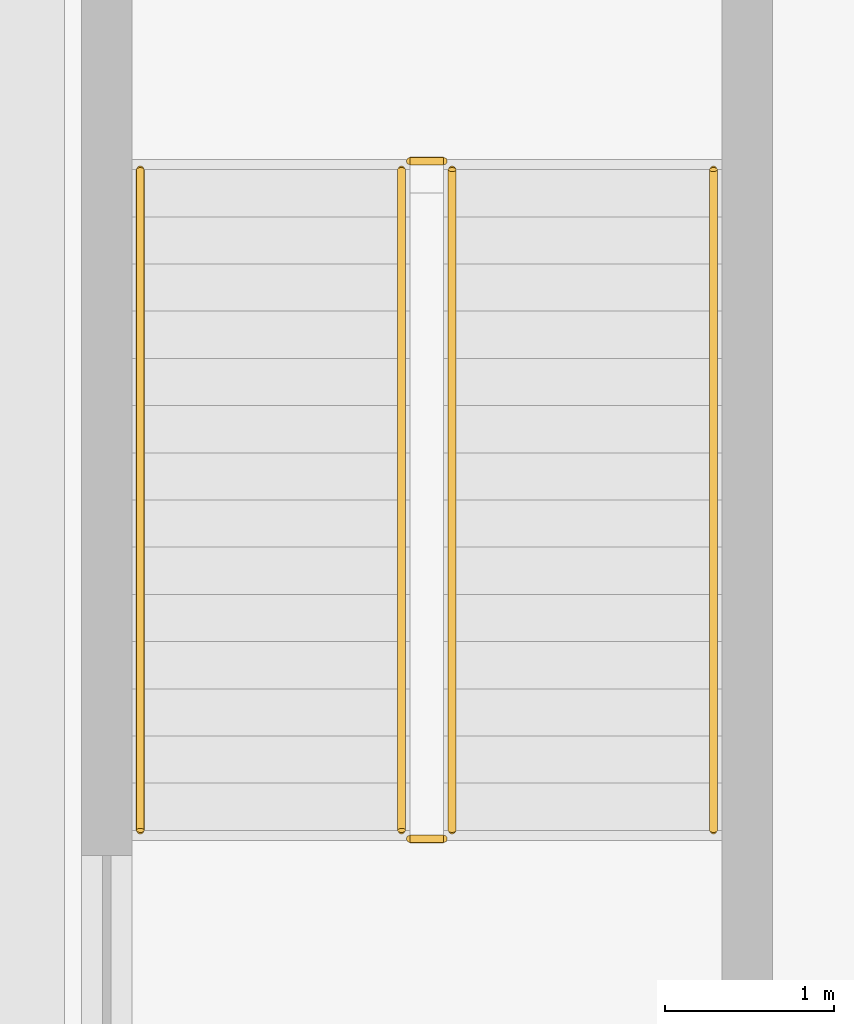
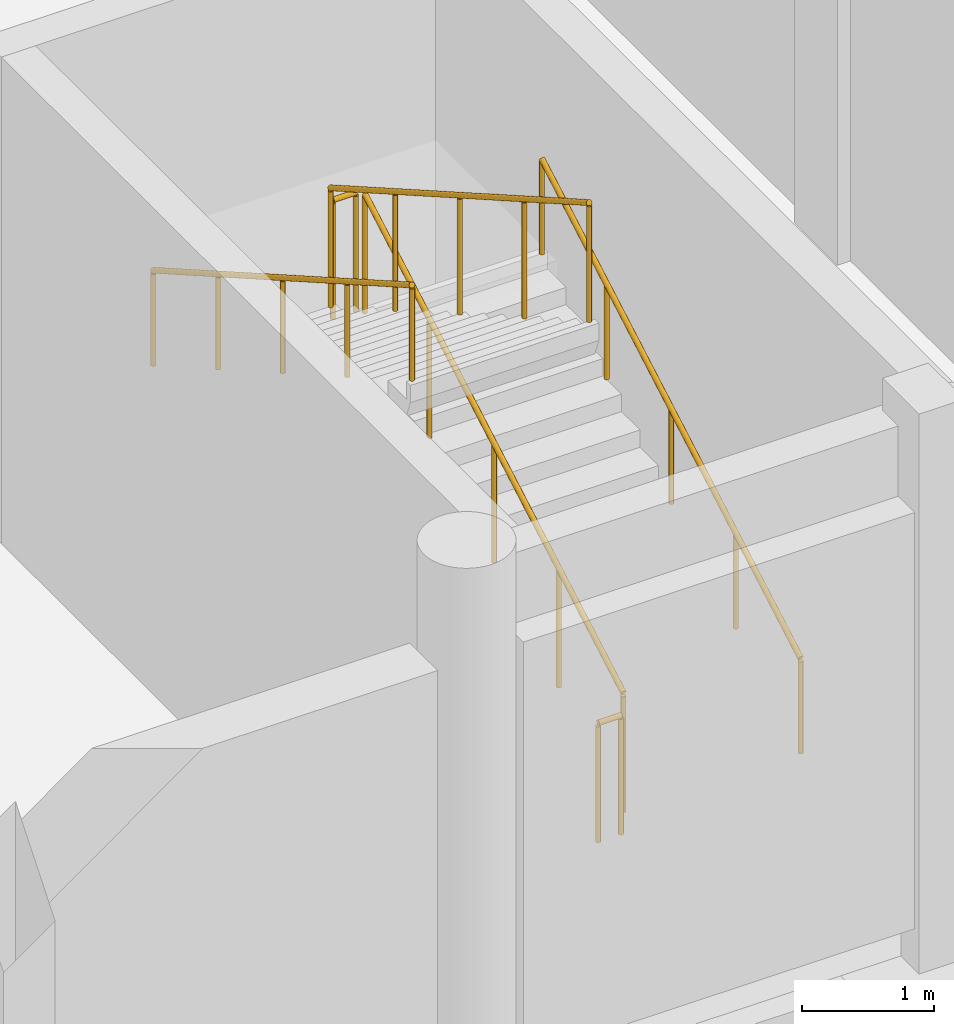
# One storey, part 48 of 52: 6 railings.
"""IFC4 building model written with IfcOpenShell, lengths in metres."""

import ifcopenshell
import ifcopenshell.guid

model = None  # the IFC model being written
_history = None  # IfcOwnerHistory: only IFC2X3 demands one
_inside = {}  # id of a spatial element -> (the spatial element, [elements in it])
_under = {}  # id of a project, library or spatial element -> (it, [spatial elements below it])
_declared = {}  # id of a project -> (the project, [libraries it declares])
_typed = {}  # id of a type object -> (the type object, [elements of that type])
_made_of = {}  # id of a material, layer set ... -> (it, [elements and type objects made of it])


def new_model(schema):
    """Start an empty IFC model of exactly this schema.

    Asked for "IFC4X3", IfcOpenShell would pick the latest addendum, in which some entities
    have other attributes; the version numbers below select the first issue.
    IFC2X3 requires an IfcOwnerHistory on every rooted entity: one is made here for all.
    """
    global model, _history
    if schema == "IFC4X3":
        model = ifcopenshell.file(schema_version=(4, 3, 0, 0))
    else:
        model = ifcopenshell.file(schema=schema)
    _inside.clear()
    _under.clear()
    _declared.clear()
    _typed.clear()
    _made_of.clear()
    _history = None
    if model.schema == "IFC2X3":
        org = make("IfcOrganization", Name="unknown")
        user = make(
            "IfcPersonAndOrganization",
            ThePerson=make("IfcPerson", FamilyName="unknown"),
            TheOrganization=org,
        )
        app = make(
            "IfcApplication",
            ApplicationDeveloper=org,
            Version="unknown",
            ApplicationFullName="unknown",
            ApplicationIdentifier="unknown",
        )
        _history = make(
            "IfcOwnerHistory",
            OwningUser=user,
            OwningApplication=app,
            ChangeAction="ADDED",
            CreationDate=0,
        )
    return model


def make(cls, **values):
    """One entity of the class cls with the attributes given. An attribute that is None is left unset."""
    return model.create_entity(
        cls, **{name: value for name, value in values.items() if value is not None}
    )


def rooted(cls, **values):
    """An entity with a GlobalId (a new one), such as an element, a storey or a relation."""
    return make(cls, GlobalId=ifcopenshell.guid.new(), OwnerHistory=_history, **values)


def si_unit(unit_type, name, prefix=None):
    """IfcSIUnit, for example si_unit("LENGTHUNIT", "METRE", prefix="MILLI")."""
    return make("IfcSIUnit", UnitType=unit_type, Prefix=prefix, Name=name)


def assignment(units):
    """IfcUnitAssignment: the units of a project."""
    return None if units is None else make("IfcUnitAssignment", Units=units)


def point(xyz):
    """IfcCartesianPoint."""
    return None if xyz is None else make("IfcCartesianPoint", Coordinates=xyz)


def direction(xyz):
    """IfcDirection."""
    return None if xyz is None else make("IfcDirection", DirectionRatios=xyz)


def frame(location, z_axis=None, x_axis=None):
    """IfcAxis2Placement3D, a coordinate frame: its origin and axes. An axis left out is left unset."""
    return make(
        "IfcAxis2Placement3D",
        Location=point(location),
        Axis=direction(z_axis),
        RefDirection=direction(x_axis),
    )


def frame_2d(location, x_axis=None):
    """IfcAxis2Placement2D, a coordinate frame in the plane: its origin and x axis."""
    return make(
        "IfcAxis2Placement2D", Location=point(location), RefDirection=direction(x_axis)
    )


def origin():
    """The frame at (0, 0, 0) with its axes left unset."""
    return frame((0.0, 0.0, 0.0))


def origin_2d():
    """The frame at (0, 0) in the plane with its x axis left unset."""
    return frame_2d((0.0, 0.0))


def place(relative_to, where):
    """IfcLocalPlacement: puts the frame where relative to a parent placement (None: the world)."""
    return make(
        "IfcLocalPlacement", PlacementRelTo=relative_to, RelativePlacement=where
    )


def context(
    kind, dimensions, precision=None, world=None, true_north=None, identifier=None
):
    """IfcGeometricRepresentationContext, for example the 3D "Model" context."""
    return make(
        "IfcGeometricRepresentationContext",
        ContextIdentifier=identifier,
        ContextType=kind,
        CoordinateSpaceDimension=dimensions,
        Precision=precision,
        WorldCoordinateSystem=world,
        TrueNorth=true_north,
    )


def subcontext(parent, identifier, kind, view, scale=None):
    """IfcGeometricRepresentationSubContext, for example "Body" below "Model"."""
    return make(
        "IfcGeometricRepresentationSubContext",
        ContextIdentifier=identifier,
        ContextType=kind,
        ParentContext=parent,
        TargetScale=scale,
        TargetView=view,
    )


def project(units=None, contexts=None):
    """IfcProject with its units and contexts."""
    return rooted(
        "IfcProject",
        Name="project",
        RepresentationContexts=contexts,
        UnitsInContext=assignment(units),
    )


def spatial(cls, under=None, at=None, **own):
    """A site, building, storey or space (cls), placed at a placement, below another one or the project."""
    s = rooted(cls, ObjectPlacement=at, **own)
    if under is not None:
        _under.setdefault(under.id(), (under, []))[1].append(s)
    return s


def profile(cls, at=None, kind="AREA", **sizes):
    """A parametric profile (cls). Its sizes go by their IFC names, for example OverallWidth=200.0."""
    return make(cls, ProfileType=kind, Position=at, **sizes)


def circle(**sizes):
    """IfcCircleProfileDef."""
    return profile("IfcCircleProfileDef", **sizes)


def extrude(swept, where, along, depth):
    """IfcExtrudedAreaSolid: the profile swept, set in the frame where, extruded along a direction by depth."""
    return make(
        "IfcExtrudedAreaSolid",
        SweptArea=swept,
        Position=where,
        ExtrudedDirection=direction(along),
        Depth=depth,
    )


def shape(context_of_items, identifier, shape_type, items):
    """IfcShapeRepresentation: the items that make up one representation, for example the "Body"."""
    return make(
        "IfcShapeRepresentation",
        ContextOfItems=context_of_items,
        RepresentationIdentifier=identifier,
        RepresentationType=shape_type,
        Items=items,
    )


def material(Name=None, Category=None):
    """IfcMaterial."""
    return make("IfcMaterial", Name=Name, Category=Category)


def made_of(thing, what):
    """Note that an element or type object is made of a material, layer set ...; save() writes the relation."""
    if what is not None:
        _made_of.setdefault(what.id(), (what, []))[1].append(thing)
    return thing


def type_object(cls, material=None, **own):
    """A type object (cls), such as IfcWallType, which elements share."""
    return made_of(rooted(cls, **own), material)


def element(
    cls,
    number,
    at=None,
    inside=None,
    cuts=None,
    type_object=None,
    material=None,
    context=None,
    identifier="Body",
    shape_type=None,
    held_by="IfcProductDefinitionShape",
    body=None,
    shapes=None,
    **own,
):
    """One element of the class cls, such as IfcWall. Its Tag is "e" and its number.

    at: its placement. inside: the storey or other place that contains it. cuts: it is an
    opening in that element (IfcRelVoidsElement). A single representation is given by context,
    identifier, shape_type and body (its items); several are given by shapes. held_by: the class
    of the entity that holds the representations. save() writes the other relations.
    """
    e = rooted(cls, Tag="e%d" % number, ObjectPlacement=at, **own)
    if body is not None:
        shapes = [shape(context, identifier, shape_type, body)]
    if shapes is not None:
        e.Representation = make(held_by, Representations=shapes)
    if inside is not None:
        _inside.setdefault(inside.id(), (inside, []))[1].append(e)
    if cuts is not None:
        rooted(
            "IfcRelVoidsElement", RelatingBuildingElement=cuts, RelatedOpeningElement=e
        )
    if type_object is not None:
        _typed.setdefault(type_object.id(), (type_object, []))[1].append(e)
    return made_of(e, material)


def aggregate(whole, parts):
    """IfcRelAggregates: a whole, such as a stair, and the parts it consists of."""
    return rooted("IfcRelAggregates", RelatingObject=whole, RelatedObjects=parts)


def save(model, path):
    """Write the relations noted so far, then the file.

    IfcRelAggregates (storeys below a building ...), IfcRelContainedInSpatialStructure (elements
    in a storey), IfcRelDefinesByType, IfcRelAssociatesMaterial and IfcRelDeclares: one each for
    every whole, place, type object, material and project.
    """
    for whole, parts in _under.values():
        aggregate(whole, parts)
    for where, things in _inside.values():
        rooted(
            "IfcRelContainedInSpatialStructure",
            RelatedElements=things,
            RelatingStructure=where,
        )
    for kind, things in _typed.values():
        rooted("IfcRelDefinesByType", RelatedObjects=things, RelatingType=kind)
    for what, things in _made_of.values():
        rooted("IfcRelAssociatesMaterial", RelatedObjects=things, RelatingMaterial=what)
    for by, libraries in _declared.values():
        rooted("IfcRelDeclares", RelatingContext=by, RelatedDefinitions=libraries)
    model.write(path)


model = new_model("IFC4")

# Units and contexts
model_context = context("Model", 3, precision=1e-05, world=origin(), true_north=direction((0.0, 1.0)))
body_context = subcontext(model_context, "Body", "Model", "MODEL_VIEW")
ifc_project = project(units=[si_unit("LENGTHUNIT", "METRE"), si_unit("AREAUNIT", "SQUARE_METRE"), si_unit("VOLUMEUNIT", "CUBIC_METRE"), si_unit("PLANEANGLEUNIT", "RADIAN"), si_unit("MASSUNIT", "GRAM", prefix="KILO")], contexts=[model_context])

# Site, building, storey
site_placement = place(None, origin())
site = spatial("IfcSite", under=ifc_project, at=site_placement, CompositionType="ELEMENT")
building_placement = place(site_placement, origin())
building = spatial("IfcBuilding", under=site, at=building_placement, Name="Luwemba Playhouse", CompositionType="ELEMENT")
storey_placement = place(building_placement, frame((0.0, 0.0, -4.800048828125)))
storey = spatial("IfcBuildingStorey", under=building, at=storey_placement, Name="B1", CompositionType="ELEMENT", Elevation=-4.800048828125)

# Railings
ifc_material_1 = material(Name="Painted wrought-iron gallery balustrade", Category="steel")
railing_type_1 = type_object("IfcRailingType", Name="RLG-BAL-INT", PredefinedType="BALUSTRADE", material=ifc_material_1)
railing_1_placement = place(storey_placement, frame((166.550048828125, 5.0400390625, 0.16015625)))
element("IfcRailing", 1, at=railing_1_placement, inside=storey, type_object=railing_type_1, Name="B1 ST-05 stair guard 1", PredefinedType="BALUSTRADE", context=body_context, shape_type="SweptSolid", body=[
    extrude(circle(Radius=0.02392578125, at=origin_2d()), frame((0.0, 0.0, 1.09619140625), z_axis=(0.0, 0.868239814368, 0.496144761885), x_axis=(-1.0, 0.0, 0.0)), (0.0, 0.0, 1.0), 4.514892578125),
    extrude(circle(Radius=0.02099609375, at=origin_2d()), origin(), (0.0, 0.0, 1.0), 1.072021484375),
    extrude(circle(Radius=0.02099609375, at=origin_2d()), frame((0.0, 0.97998046875, 0.56005859375)), (0.0, 0.0, 1.0), 1.072021484375),
    extrude(circle(Radius=0.02099609375, at=origin_2d()), frame((0.0, 1.9599609375, 1.1201171875)), (0.0, 0.0, 1.0), 1.072021484375),
    extrude(circle(Radius=0.02099609375, at=origin_2d()), frame((0.0, 2.93994140625, 1.679931640625)), (0.0, 0.0, 1.0), 1.072021484375),
    extrude(circle(Radius=0.02099609375, at=origin_2d()), frame((0.0, 3.919921875, 2.239990234375)), (0.0, 0.0, 1.0), 1.072021484375),
])
railing_2_placement = place(storey_placement, frame((166.5, 9.010009765625, 2.400146484375)))
element("IfcRailing", 2, at=railing_2_placement, inside=storey, type_object=railing_type_1, Name="B1 ST-05 stair guard 2", PredefinedType="BALUSTRADE", context=body_context, shape_type="SweptSolid", body=[
    extrude(circle(Radius=0.02392578125, at=origin_2d()), frame((0.0, 0.0, 1.09619140625), z_axis=(-1.0, 0.0, 0.0), x_axis=(0.0, -1.0, 0.0)), (0.0, 0.0, 1.0), 0.199951171875),
    extrude(circle(Radius=0.02099609375, at=origin_2d()), origin(), (0.0, 0.0, 1.0), 1.072021484375),
    extrude(circle(Radius=0.02099609375, at=origin_2d()), frame((-0.199951171875, 0.0, 0.0)), (0.0, 0.0, 1.0), 1.072021484375),
])
railing_3_placement = place(storey_placement, frame((166.25, 8.9599609375, 2.56005859375)))
element("IfcRailing", 3, at=railing_3_placement, inside=storey, type_object=railing_type_1, Name="B1 ST-05 stair guard 3", PredefinedType="BALUSTRADE", context=body_context, shape_type="SweptSolid", body=[
    extrude(circle(Radius=0.02392578125, at=origin_2d()), frame((0.0, 0.0, 1.09619140625), z_axis=(0.0, -0.868239814368, 0.496144761885), x_axis=(1.0, 0.0, 0.0)), (0.0, 0.0, 1.0), 4.514892578125),
    extrude(circle(Radius=0.02099609375, at=origin_2d()), origin(), (0.0, 0.0, 1.0), 1.072021484375),
    extrude(circle(Radius=0.02099609375, at=origin_2d()), frame((0.0, -0.97998046875, 0.56005859375)), (0.0, 0.0, 1.0), 1.072021484375),
    extrude(circle(Radius=0.02099609375, at=origin_2d()), frame((0.0, -1.9599609375, 1.1201171875)), (0.0, 0.0, 1.0), 1.072021484375),
    extrude(circle(Radius=0.02099609375, at=origin_2d()), frame((0.0, -2.93994140625, 1.679931640625)), (0.0, 0.0, 1.0), 1.072021484375),
    extrude(circle(Radius=0.02099609375, at=origin_2d()), frame((0.0, -3.919921875, 2.239990234375)), (0.0, 0.0, 1.0), 1.072021484375),
])
railing_4_placement = place(storey_placement, frame((166.5, 4.989990234375, 0.0)))
element("IfcRailing", 4, at=railing_4_placement, inside=storey, type_object=railing_type_1, Name="B1 ST-05 stair guard 4", PredefinedType="BALUSTRADE", context=body_context, shape_type="SweptSolid", body=[
    extrude(circle(Radius=0.02392578125, at=origin_2d()), frame((0.0, 0.0, 1.09619140625), z_axis=(-1.0, 0.0, 0.0), x_axis=(0.0, -1.0, 0.0)), (0.0, 0.0, 1.0), 0.199951171875),
    extrude(circle(Radius=0.02099609375, at=origin_2d()), origin(), (0.0, 0.0, 1.0), 1.072021484375),
    extrude(circle(Radius=0.02099609375, at=origin_2d()), frame((-0.199951171875, 0.0, 0.0)), (0.0, 0.0, 1.0), 1.072021484375),
])
ifc_material_2 = material(Name="Hardwood and bronze handrail", Category="wood")
railing_type_2 = type_object("IfcRailingType", Name="RLG-HR-INT", PredefinedType="HANDRAIL", material=ifc_material_2)
railing_5_placement = place(storey_placement, frame((168.10009765625, 5.0400390625, 0.16015625)))
element("IfcRailing", 5, at=railing_5_placement, inside=storey, type_object=railing_type_2, Name="B1 ST-05 stair handrail 1", PredefinedType="HANDRAIL", context=body_context, shape_type="SweptSolid", body=[
    extrude(circle(Radius=0.02392578125, at=origin_2d()), frame((0.0, 0.0, 0.8759765625), z_axis=(0.0, 0.868239814368, 0.496144761885), x_axis=(-1.0, 0.0, 0.0)), (0.0, 0.0, 1.0), 4.514892578125),
    extrude(circle(Radius=0.02099609375, at=origin_2d()), origin(), (0.0, 0.0, 1.0), 0.851806640625),
    extrude(circle(Radius=0.02099609375, at=origin_2d()), frame((0.0, 0.97998046875, 0.56005859375)), (0.0, 0.0, 1.0), 0.851806640625),
    extrude(circle(Radius=0.02099609375, at=origin_2d()), frame((0.0, 1.9599609375, 1.1201171875)), (0.0, 0.0, 1.0), 0.851806640625),
    extrude(circle(Radius=0.02099609375, at=origin_2d()), frame((0.0, 2.93994140625, 1.679931640625)), (0.0, 0.0, 1.0), 0.851806640625),
    extrude(circle(Radius=0.02099609375, at=origin_2d()), frame((0.0, 3.919921875, 2.239990234375)), (0.0, 0.0, 1.0), 0.851806640625),
])
railing_6_placement = place(storey_placement, frame((164.699951171875, 8.9599609375, 2.56005859375)))
element("IfcRailing", 6, at=railing_6_placement, inside=storey, type_object=railing_type_2, Name="B1 ST-05 stair handrail 2", PredefinedType="HANDRAIL", context=body_context, shape_type="SweptSolid", body=[
    extrude(circle(Radius=0.02392578125, at=origin_2d()), frame((0.0, 0.0, 0.8759765625), z_axis=(0.0, -0.868239814368, 0.496144761885), x_axis=(1.0, 0.0, 0.0)), (0.0, 0.0, 1.0), 4.514892578125),
    extrude(circle(Radius=0.02099609375, at=origin_2d()), origin(), (0.0, 0.0, 1.0), 0.851806640625),
    extrude(circle(Radius=0.02099609375, at=origin_2d()), frame((0.0, -0.97998046875, 0.56005859375)), (0.0, 0.0, 1.0), 0.851806640625),
    extrude(circle(Radius=0.02099609375, at=origin_2d()), frame((0.0, -1.9599609375, 1.1201171875)), (0.0, 0.0, 1.0), 0.851806640625),
    extrude(circle(Radius=0.02099609375, at=origin_2d()), frame((0.0, -2.93994140625, 1.679931640625)), (0.0, 0.0, 1.0), 0.851806640625),
    extrude(circle(Radius=0.02099609375, at=origin_2d()), frame((0.0, -3.919921875, 2.239990234375)), (0.0, 0.0, 1.0), 0.851806640625),
])

save(model, "model.ifc")
